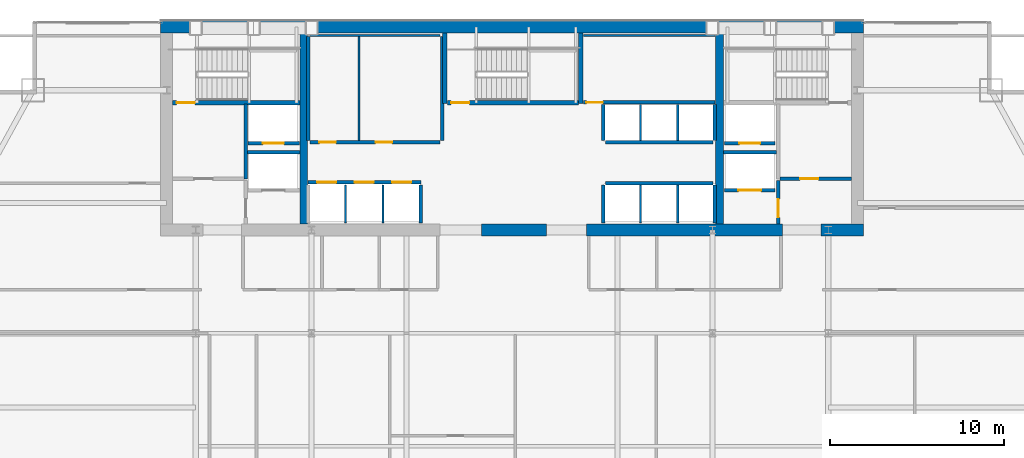
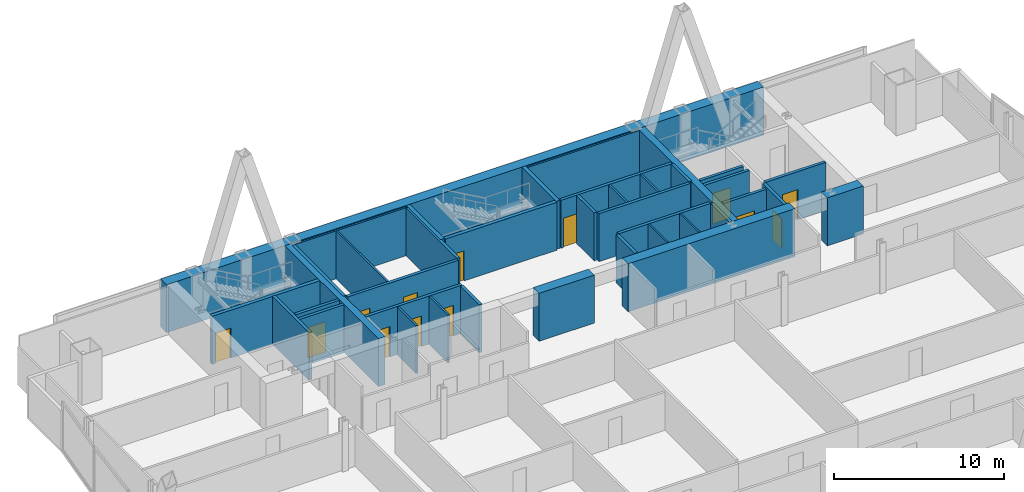
# One storey, part 27 of 30: 39 walls, 13 doors, 13 openings.
"""IFC4 building model written with IfcOpenShell, lengths in metres."""

from ifc_helpers import new_model, si_unit, direction, frame, frame_2d, origin, place, context, subcontext, project, spatial, rectangle, extrude, material, layer, layer_set, type_object, element, fill, save


model = new_model("IFC4")

# Units and contexts
model_context = context("Model", 3, precision=1e-05, world=origin(), true_north=direction((0.0, 1.0)))
body_context = subcontext(model_context, "Body", "Model", "MODEL_VIEW")
ifc_project = project(units=[si_unit("LENGTHUNIT", "METRE"), si_unit("AREAUNIT", "SQUARE_METRE"), si_unit("VOLUMEUNIT", "CUBIC_METRE"), si_unit("PLANEANGLEUNIT", "RADIAN"), si_unit("MASSUNIT", "GRAM", prefix="KILO")], contexts=[model_context])

# Site, building, storey
site_placement = place(None, origin())
site = spatial("IfcSite", under=ifc_project, at=site_placement, CompositionType="ELEMENT")
building_placement = place(site_placement, origin())
building = spatial("IfcBuilding", under=site, at=building_placement, Name="Khoronbel Lancet Exchange", CompositionType="ELEMENT")
storey_placement = place(building_placement, frame((0.0, 0.0, 147.0)))
storey = spatial("IfcBuildingStorey", under=building, at=storey_placement, Name="L36", CompositionType="ELEMENT", Elevation=147.0)

# Walls
ifc_material_1 = material(Name="Concrete C80/95", Category="concrete")
ifc_layer_1 = layer(ifc_material_1, 0.699951171875, Name="Concrete C80/95")
ifc_layer_set_1 = layer_set([ifc_layer_1], Name="Concrete C80/95")
wall_type_1 = type_object("IfcWallType", Name="WL-CW2", PredefinedType="SHEAR", material=ifc_layer_set_1)
wall_1_placement = place(storey_placement, frame((16.199951171875, 53.35009765625, 0.0), z_axis=(0.0, 0.0, 1.0), x_axis=(1.0, 0.0, 0.0)))
element("IfcWall", 1, at=wall_1_placement, inside=storey, type_object=wall_type_1, Name="Level L36 rear core north shear wall", PredefinedType="SHEAR", context=body_context, shape_type="SweptSolid", body=[
    extrude(rectangle(XDim=40.5, YDim=0.699951171875, at=frame_2d((20.25, 0.0))), origin(), (0.0, 0.0, 1.0), 3.43994140625),
])
wall_2_placement = place(storey_placement, frame((38.449951171875, 41.64990234375, 0.0), z_axis=(0.0, 0.0, 1.0), x_axis=(-1.0, 0.0, 0.0)))
element("IfcWall", 2, at=wall_2_placement, inside=storey, type_object=wall_type_1, Name="Level L36 rear core south shear wall pier P3", PredefinedType="SHEAR", context=body_context, shape_type="SweptSolid", body=[
    extrude(rectangle(XDim=3.75, YDim=0.699951171875, at=frame_2d((1.875, 0.0))), origin(), (0.0, 0.0, 1.0), 3.43994140625),
])
wall_3_placement = place(storey_placement, frame((52.050048828125, 41.64990234375, 0.0), z_axis=(0.0, 0.0, 1.0), x_axis=(-1.0, 0.0, 0.0)))
element("IfcWall", 3, at=wall_3_placement, inside=storey, type_object=wall_type_1, Name="Level L36 rear core south shear wall pier P4", PredefinedType="SHEAR", context=body_context, shape_type="SweptSolid", body=[
    extrude(rectangle(XDim=11.300048828125, YDim=0.699951171875, at=frame_2d((5.64990234375, 0.0))), origin(), (0.0, 0.0, 1.0), 3.43994140625),
])
wall_4_placement = place(storey_placement, frame((56.699951171875, 41.64990234375, 0.0), z_axis=(0.0, 0.0, 1.0), x_axis=(-1.0, 0.0, 0.0)))
element("IfcWall", 4, at=wall_4_placement, inside=storey, type_object=wall_type_1, Name="Level L36 rear core south shear wall pier P5", PredefinedType="SHEAR", context=body_context, shape_type="SweptSolid", body=[
    extrude(rectangle(XDim=2.449951171875, YDim=0.699951171875, at=frame_2d((1.22509765625, 0.0))), origin(), (0.0, 0.0, 1.0), 3.43994140625),
])
ifc_material_2 = material(Name="Fire-Rated Metal-Stud & Mineral-Wool Gypsum Partition 120 mm", Category="gypsum")
ifc_layer_2 = layer(ifc_material_2, 0.1201171875, Name="Fire-Rated Metal-Stud & Mineral-Wool Gypsum Partition 120 mm")
ifc_layer_set_2 = layer_set([ifc_layer_2], Name="Fire-Rated Metal-Stud & Mineral-Wool Gypsum Partition 120 mm")
wall_type_2 = type_object("IfcWallType", Name="WL-PRT120F", PredefinedType="PARTITIONING", material=ifc_layer_set_2)
wall_5_placement = place(storey_placement, frame((24.804931640625, 52.860107421875, 0.0), z_axis=(0.0, 0.0, 1.0), x_axis=(1.0, 0.0, 0.0)))
element("IfcWall", 5, at=wall_5_placement, inside=storey, type_object=wall_type_2, Name="Level L36 interior partition CW-PL-RN", PredefinedType="PARTITIONING", context=body_context, shape_type="SweptSolid", body=[
    extrude(rectangle(XDim=7.510009765625, YDim=0.1201171875, at=frame_2d((3.7548828125, 0.0))), origin(), (0.0, 0.0, 1.0), 3.43994140625),
])
wall_6_placement = place(storey_placement, frame((27.633544921875, 46.804931640625, 0.0), z_axis=(0.0, 0.0, 1.0), x_axis=(0.0, 1.0, 0.0)))
element("IfcWall", 6, at=wall_6_placement, inside=storey, type_object=wall_type_2, Name="Level L36 interior partition CW-PL-RS1", PredefinedType="PARTITIONING", context=body_context, shape_type="SweptSolid", body=[
    extrude(rectangle(XDim=5.989990234375, YDim=0.1201171875, at=frame_2d((2.9951171875, 0.0))), origin(), (0.0, 0.0, 1.0), 3.43994140625),
])
for number, where, z_axis, x_axis, name in (
    (7, (26.860107421875, 42.050048828125, 0.0), (0.0, 0.0, 1.0), (0.0, 1.0, 0.0), "Level L36 interior partition CW-PM-D1"),
    (8, (29.02001953125, 42.050048828125, 0.0), (0.0, 0.0, 1.0), (0.0, 1.0, 0.0), "Level L36 interior partition CW-PM-D2"),
):
    element("IfcWall", number, at=place(storey_placement, frame(where, z_axis=z_axis, x_axis=x_axis)), inside=storey, type_object=wall_type_2, Name=name, PredefinedType="PARTITIONING", context=body_context, shape_type="SweptSolid", body=[
        extrude(rectangle(XDim=2.199951171875, YDim=0.1201171875, at=frame_2d((1.10009765625, 0.0))), origin(), (0.0, 0.0, 1.0), 3.43994140625),
    ])
for number, where, z_axis, x_axis, name in (
    (9, (43.860107421875, 46.804931640625, 0.0), (0.0, 0.0, 1.0), (0.0, 1.0, 0.0), "Level L36 interior partition CW-PH-D1"),
    (10, (46.0, 46.804931640625, 0.0), (0.0, 0.0, 1.0), (0.0, 1.0, 0.0), "Level L36 interior partition CW-PH-D2"),
):
    element("IfcWall", number, at=place(storey_placement, frame(where, z_axis=z_axis, x_axis=x_axis)), inside=storey, type_object=wall_type_2, Name=name, PredefinedType="PARTITIONING", context=body_context, shape_type="SweptSolid", body=[
        extrude(rectangle(XDim=2.090087890625, YDim=0.1201171875, at=frame_2d((1.044921875, 0.0))), origin(), (0.0, 0.0, 1.0), 3.43994140625),
    ])
for number, where, z_axis, x_axis, name in (
    (11, (43.860107421875, 42.050048828125, 0.0), (0.0, 0.0, 1.0), (0.0, 1.0, 0.0), "Level L36 interior partition CW-PX-D1"),
    (12, (46.0, 42.050048828125, 0.0), (0.0, 0.0, 1.0), (0.0, 1.0, 0.0), "Level L36 interior partition CW-PX-D2"),
):
    element("IfcWall", number, at=place(storey_placement, frame(where, z_axis=z_axis, x_axis=x_axis)), inside=storey, type_object=wall_type_2, Name=name, PredefinedType="PARTITIONING", context=body_context, shape_type="SweptSolid", body=[
        extrude(rectangle(XDim=2.195068359375, YDim=0.1201171875, at=frame_2d((1.09765625, 0.0))), origin(), (0.0, 0.0, 1.0), 3.43994140625),
    ])
wall_7_placement = place(storey_placement, frame((40.580078125, 52.860107421875, 0.0), z_axis=(0.0, 0.0, 1.0), x_axis=(1.0, 0.0, 0.0)))
element("IfcWall", 13, at=wall_7_placement, inside=storey, type_object=wall_type_2, Name="Level L36 interior partition CW-SUP-NE-N", PredefinedType="PARTITIONING", context=body_context, shape_type="SweptSolid", body=[
    extrude(rectangle(XDim=7.559814453125, YDim=0.1201171875, at=frame_2d((3.77978515625, 0.0))), origin(), (0.0, 0.0, 1.0), 3.43994140625),
])

# Wall, openings, doors
ifc_material_3 = material(Name="Autoclaved Aerated Concrete Blockwork 200 mm", Category="masonry")
ifc_layer_3 = layer(ifc_material_3, 0.199951171875, Name="Autoclaved Aerated Concrete Blockwork 200 mm")
ifc_layer_set_3 = layer_set([ifc_layer_3], Name="Autoclaved Aerated Concrete Blockwork 200 mm")
wall_type_3 = type_object("IfcWallType", Name="WL-PRT200", PredefinedType="PARTITIONING", material=ifc_layer_set_3)
wall_8_placement = place(storey_placement, frame((24.68994140625, 44.39990234375, 0.0), z_axis=(0.0, 0.0, 1.0), x_axis=(1.0, 0.0, 0.0)))
wall_8 = element("IfcWall", 14, at=wall_8_placement, inside=storey, type_object=wall_type_3, Name="Level L36 elevator hoistway landing front wall PMW", PredefinedType="PARTITIONING", context=body_context, shape_type="SweptSolid", body=[
    extrude(rectangle(XDim=6.530029296875, YDim=0.199951171875, at=frame_2d((3.26513671875, 0.0))), origin(), (0.0, 0.0, 1.0), 3.43994140625),
])
opening_1_placement = place(wall_8_placement, frame((0.530029296875, 0.0, 0.0)))
opening_1 = element("IfcOpeningElement", 15, at=opening_1_placement, cuts=wall_8, Name="Opening LD-PM1", PredefinedType="OPENING", context=body_context, shape_type="SweptSolid", body=[
    extrude(rectangle(XDim=1.10009765625, YDim=2.179931640625, at=frame_2d((0.550048828125, 1.08984375))), frame((0.0, 0.10986328125, 0.0), z_axis=(0.0, -1.0, 0.0), x_axis=(1.0, 0.0, 0.0)), (0.0, 0.0, 1.0), 0.219970703125),
])
opening_2_placement = place(wall_8_placement, frame((2.68994140625, 0.0, 0.0)))
opening_2 = element("IfcOpeningElement", 16, at=opening_2_placement, cuts=wall_8, Name="Opening LD-PM2", PredefinedType="OPENING", context=body_context, shape_type="SweptSolid", body=[
    extrude(rectangle(XDim=1.10009765625, YDim=2.179931640625, at=frame_2d((0.550048828125, 1.08984375))), frame((0.0, 0.10986328125, 0.0), z_axis=(0.0, -1.0, 0.0), x_axis=(1.0, 0.0, 0.0)), (0.0, 0.0, 1.0), 0.219970703125),
])
opening_3_placement = place(wall_8_placement, frame((4.85009765625, 0.0, 0.0)))
opening_3 = element("IfcOpeningElement", 17, at=opening_3_placement, cuts=wall_8, Name="Opening LD-PM3", PredefinedType="OPENING", context=body_context, shape_type="SweptSolid", body=[
    extrude(rectangle(XDim=1.10009765625, YDim=2.179931640625, at=frame_2d((0.550048828125, 1.08984375))), frame((0.0, 0.10986328125, 0.0), z_axis=(0.0, -1.0, 0.0), x_axis=(1.0, 0.0, 0.0)), (0.0, 0.0, 1.0), 0.219970703125),
])
ifc_material_4 = material(Name="Brushed Bronze Bi-Parting Elevator Landing Door", Category="steel")
door_type_1 = type_object("IfcDoorType", Name="DR-LD-PAX", OperationType="NOTDEFINED", PredefinedType="DOOR", material=ifc_material_4)
door_1_placement = place(opening_1_placement, origin())
door_1 = element("IfcDoor", 18, at=door_1_placement, inside=storey, type_object=door_type_1, Name="Elevator landing sliding door LD-PM1 L36", OperationType="SLIDING_TO_LEFT", OverallHeight=2.179931640625, OverallWidth=1.10009765625, PredefinedType="DOOR", context=body_context, shape_type="SweptSolid", body=[
    extrude(rectangle(XDim=1.10009765625, YDim=2.179931640625, at=frame_2d((0.550048828125, 1.08984375))), frame((0.0, 0.02490234375, 0.0), z_axis=(0.0, -1.0, 0.0), x_axis=(1.0, 0.0, 0.0)), (0.0, 0.0, 1.0), 0.050048828125),
])
fill(opening_1, door_1)
door_2_placement = place(opening_2_placement, origin())
door_2 = element("IfcDoor", 19, at=door_2_placement, inside=storey, type_object=door_type_1, Name="Elevator landing sliding door LD-PM2 L36", OperationType="SLIDING_TO_LEFT", OverallHeight=2.179931640625, OverallWidth=1.10009765625, PredefinedType="DOOR", context=body_context, shape_type="SweptSolid", body=[
    extrude(rectangle(XDim=1.10009765625, YDim=2.179931640625, at=frame_2d((0.550048828125, 1.08984375))), frame((0.0, 0.02490234375, 0.0), z_axis=(0.0, -1.0, 0.0), x_axis=(1.0, 0.0, 0.0)), (0.0, 0.0, 1.0), 0.050048828125),
])
fill(opening_2, door_2)
door_3_placement = place(opening_3_placement, origin())
door_3 = element("IfcDoor", 20, at=door_3_placement, inside=storey, type_object=door_type_1, Name="Elevator landing sliding door LD-PM3 L36", OperationType="SLIDING_TO_LEFT", OverallHeight=2.179931640625, OverallWidth=1.10009765625, PredefinedType="DOOR", context=body_context, shape_type="SweptSolid", body=[
    extrude(rectangle(XDim=1.10009765625, YDim=2.179931640625, at=frame_2d((0.550048828125, 1.08984375))), frame((0.0, 0.02490234375, 0.0), z_axis=(0.0, -1.0, 0.0), x_axis=(1.0, 0.0, 0.0)), (0.0, 0.0, 1.0), 0.050048828125),
])
fill(opening_3, door_3)

# Wall, opening, door
wall_9_placement = place(storey_placement, frame((51.610107421875, 43.949951171875, 0.0), z_axis=(0.0, 0.0, 1.0), x_axis=(-1.0, 0.0, 0.0)))
wall_9 = element("IfcWall", 21, at=wall_9_placement, inside=storey, type_object=wall_type_3, Name="Level L36 elevator hoistway landing front wall SVLE", PredefinedType="PARTITIONING", context=body_context, shape_type="SweptSolid", body=[
    extrude(rectangle(XDim=2.920166015625, YDim=0.199951171875, at=frame_2d((1.4599609375, 0.0))), origin(), (0.0, 0.0, 1.0), 3.43994140625),
])
opening_4_placement = place(wall_9_placement, frame((0.81005859375, 0.0, 0.0)))
opening_4 = element("IfcOpeningElement", 22, at=opening_4_placement, cuts=wall_9, Name="Opening LD-SVL2", PredefinedType="OPENING", context=body_context, shape_type="SweptSolid", body=[
    extrude(rectangle(XDim=1.300048828125, YDim=2.179931640625, at=frame_2d((0.64990234375, 1.08984375))), frame((0.0, 0.10986328125, 0.0), z_axis=(0.0, -1.0, 0.0), x_axis=(1.0, 0.0, 0.0)), (0.0, 0.0, 1.0), 0.219970703125),
])
ifc_material_5 = material(Name="Heavy-Duty Bi-Parting Goods Lift Landing Door", Category="steel")
door_type_2 = type_object("IfcDoorType", Name="DR-LD-SVL", OperationType="NOTDEFINED", PredefinedType="DOOR", material=ifc_material_5)
door_4_placement = place(opening_4_placement, origin())
door_4 = element("IfcDoor", 23, at=door_4_placement, inside=storey, type_object=door_type_2, Name="Elevator landing sliding door LD-SVL2 L36", OperationType="SLIDING_TO_LEFT", OverallHeight=2.179931640625, OverallWidth=1.300048828125, PredefinedType="DOOR", context=body_context, shape_type="SweptSolid", body=[
    extrude(rectangle(XDim=1.300048828125, YDim=2.179931640625, at=frame_2d((0.64990234375, 1.08984375))), frame((0.0, 0.02490234375, 0.0), z_axis=(0.0, -1.0, 0.0), x_axis=(1.0, 0.0, 0.0)), (0.0, 0.0, 1.0), 0.050048828125),
])
fill(opening_4, door_4)

wall_10_placement = place(storey_placement, frame((51.610107421875, 46.64990234375, 0.0), z_axis=(0.0, 0.0, 1.0), x_axis=(-1.0, 0.0, 0.0)))
wall_10 = element("IfcWall", 24, at=wall_10_placement, inside=storey, type_object=wall_type_3, Name="Level L36 elevator hoistway landing front wall FFLE", PredefinedType="PARTITIONING", context=body_context, shape_type="SweptSolid", body=[
    extrude(rectangle(XDim=2.920166015625, YDim=0.199951171875, at=frame_2d((1.4599609375, 0.0))), origin(), (0.0, 0.0, 1.0), 3.43994140625),
])
opening_5_placement = place(wall_10_placement, frame((0.860107421875, 0.0, 0.0)))
opening_5 = element("IfcOpeningElement", 25, at=opening_5_placement, cuts=wall_10, Name="Opening LD-FFL2", PredefinedType="OPENING", context=body_context, shape_type="SweptSolid", body=[
    extrude(rectangle(XDim=1.199951171875, YDim=2.179931640625, at=frame_2d((0.60009765625, 1.08984375))), frame((0.0, 0.10986328125, 0.0), z_axis=(0.0, -1.0, 0.0), x_axis=(1.0, 0.0, 0.0)), (0.0, 0.0, 1.0), 0.219970703125),
])
ifc_material_6 = material(Name="Fire-Rated Stainless Bi-Parting Firefighting Lift Door", Category="steel")
door_type_3 = type_object("IfcDoorType", Name="DR-LD-FFL", OperationType="NOTDEFINED", PredefinedType="DOOR", material=ifc_material_6)
door_5_placement = place(opening_5_placement, origin())
door_5 = element("IfcDoor", 26, at=door_5_placement, inside=storey, type_object=door_type_3, Name="Elevator landing sliding door LD-FFL2 L36", OperationType="SLIDING_TO_LEFT", OverallHeight=2.179931640625, OverallWidth=1.199951171875, PredefinedType="DOOR", context=body_context, shape_type="SweptSolid", body=[
    extrude(rectangle(XDim=1.199951171875, YDim=2.179931640625, at=frame_2d((0.60009765625, 1.08984375))), frame((0.0, 0.02490234375, 0.0), z_axis=(0.0, -1.0, 0.0), x_axis=(1.0, 0.0, 0.0)), (0.0, 0.0, 1.0), 0.050048828125),
])
fill(opening_5, door_5)

wall_11_placement = place(storey_placement, frame((24.2099609375, 46.64990234375, 0.0), z_axis=(0.0, 0.0, 1.0), x_axis=(-1.0, 0.0, 0.0)))
wall_11 = element("IfcWall", 27, at=wall_11_placement, inside=storey, type_object=wall_type_3, Name="Level L36 elevator hoistway landing front wall FFLW", PredefinedType="PARTITIONING", context=body_context, shape_type="SweptSolid", body=[
    extrude(rectangle(XDim=2.969970703125, YDim=0.199951171875, at=frame_2d((1.48486328125, 0.0))), origin(), (0.0, 0.0, 1.0), 3.43994140625),
])
opening_6_placement = place(wall_11_placement, frame((0.909912109375, 0.0, 0.0)))
opening_6 = element("IfcOpeningElement", 28, at=opening_6_placement, cuts=wall_11, Name="Opening LD-FFL1", PredefinedType="OPENING", context=body_context, shape_type="SweptSolid", body=[
    extrude(rectangle(XDim=1.199951171875, YDim=2.179931640625, at=frame_2d((0.60009765625, 1.08984375))), frame((0.0, 0.10986328125, 0.0), z_axis=(0.0, -1.0, 0.0), x_axis=(1.0, 0.0, 0.0)), (0.0, 0.0, 1.0), 0.219970703125),
])
door_6_placement = place(opening_6_placement, origin())
door_6 = element("IfcDoor", 29, at=door_6_placement, inside=storey, type_object=door_type_3, Name="Elevator landing sliding door LD-FFL1 L36", OperationType="SLIDING_TO_LEFT", OverallHeight=2.179931640625, OverallWidth=1.199951171875, PredefinedType="DOOR", context=body_context, shape_type="SweptSolid", body=[
    extrude(rectangle(XDim=1.199951171875, YDim=2.179931640625, at=frame_2d((0.60009765625, 1.08984375))), frame((0.0, 0.02490234375, 0.0), z_axis=(0.0, -1.0, 0.0), x_axis=(1.0, 0.0, 0.0)), (0.0, 0.0, 1.0), 0.050048828125),
])
fill(opening_6, door_6)

# Walls
wall_12_placement = place(storey_placement, frame((21.10009765625, 44.60009765625, 0.0), z_axis=(0.0, 0.0, 1.0), x_axis=(0.0, 1.0, 0.0)))
element("IfcWall", 30, at=wall_12_placement, inside=storey, type_object=wall_type_3, Name="Level L36 interior partition CW-FFLW-E", PredefinedType="PARTITIONING", context=body_context, shape_type="SweptSolid", body=[
    extrude(rectangle(XDim=4.2998046875, YDim=0.199951171875, at=frame_2d((2.14990234375, 0.0))), origin(), (0.0, 0.0, 1.0), 3.43994140625),
])
wall_13_placement = place(storey_placement, frame((21.199951171875, 46.1201171875, 0.0), z_axis=(0.0, 0.0, 1.0), x_axis=(1.0, 0.0, 0.0)))
element("IfcWall", 31, at=wall_13_placement, inside=storey, type_object=wall_type_3, Name="Level L36 interior partition CW-FFL1-S", PredefinedType="PARTITIONING", context=body_context, shape_type="SweptSolid", body=[
    extrude(rectangle(XDim=3.02001953125, YDim=0.199951171875, at=frame_2d((1.510009765625, 0.0))), origin(), (0.0, 0.0, 1.0), 3.43994140625),
])

# Wall, opening, door
wall_14_placement = place(storey_placement, frame((51.89990234375, 44.60009765625, 0.0), z_axis=(0.0, 0.0, 1.0), x_axis=(1.0, 0.0, 0.0)))
wall_14 = element("IfcWall", 32, at=wall_14_placement, inside=storey, type_object=wall_type_3, Name="Level L36 interior partition CW-FFLE-S", PredefinedType="PARTITIONING", context=body_context, shape_type="SweptSolid", body=[
    extrude(rectangle(XDim=4.10009765625, YDim=0.199951171875, at=frame_2d((2.050048828125, 0.0))), origin(), (0.0, 0.0, 1.0), 3.43994140625),
])
opening_7_placement = place(wall_14_placement, frame((1.14990234375, 0.0, 0.0)))
opening_7 = element("IfcOpeningElement", 33, at=opening_7_placement, cuts=wall_14, Name="Opening FD1", PredefinedType="OPENING", context=body_context, shape_type="SweptSolid", body=[
    extrude(rectangle(XDim=1.050048828125, YDim=2.14990234375, at=frame_2d((0.52490234375, 1.074951171875))), frame((0.0, 0.10986328125, 0.0), z_axis=(0.0, -1.0, 0.0), x_axis=(1.0, 0.0, 0.0)), (0.0, 0.0, 1.0), 0.219970703125),
])
ifc_material_7 = material(Name="Fire-Rated Painted Steel Door Assembly", Category="steel")
door_type_4 = type_object("IfcDoorType", Name="DR-FD1", OperationType="NOTDEFINED", PredefinedType="DOOR", material=ifc_material_7)
door_7_placement = place(opening_7_placement, origin())
door_7 = element("IfcDoor", 34, at=door_7_placement, inside=storey, type_object=door_type_4, Name="East firefighting lobby FD90S door L36-1", OperationType="SINGLE_SWING_RIGHT", OverallHeight=2.14990234375, OverallWidth=1.050048828125, PredefinedType="DOOR", context=body_context, shape_type="SweptSolid", body=[
    extrude(rectangle(XDim=1.050048828125, YDim=2.14990234375, at=frame_2d((0.52490234375, 1.074951171875))), frame((0.0, 0.02490234375, 0.0), z_axis=(0.0, -1.0, 0.0), x_axis=(1.0, 0.0, 0.0)), (0.0, 0.0, 1.0), 0.050048828125),
])
fill(opening_7, door_7)

# Wall
wall_15_placement = place(storey_placement, frame((48.6298828125, 46.1201171875, 0.0), z_axis=(0.0, 0.0, 1.0), x_axis=(1.0, 0.0, 0.0)))
element("IfcWall", 35, at=wall_15_placement, inside=storey, type_object=wall_type_3, Name="Level L36 interior partition CW-FFL2-S", PredefinedType="PARTITIONING", context=body_context, shape_type="SweptSolid", body=[
    extrude(rectangle(XDim=3.070068359375, YDim=0.199951171875, at=frame_2d((1.53515625, 0.0))), origin(), (0.0, 0.0, 1.0), 3.43994140625),
])

# Wall, opening, door
wall_16_placement = place(storey_placement, frame((51.800048828125, 42.0, 0.0), z_axis=(0.0, 0.0, 1.0), x_axis=(0.0, 1.0, 0.0)))
wall_16 = element("IfcWall", 36, at=wall_16_placement, inside=storey, type_object=wall_type_3, Name="Level L36 interior partition CW-SVLE-E", PredefinedType="PARTITIONING", context=body_context, shape_type="SweptSolid", body=[
    extrude(rectangle(XDim=2.4951171875, YDim=0.199951171875, at=frame_2d((1.24755859375, 0.0))), origin(), (0.0, 0.0, 1.0), 3.43994140625),
])
opening_8_placement = place(wall_16_placement, frame((0.3798828125, 0.0, 0.0)))
opening_8 = element("IfcOpeningElement", 37, at=opening_8_placement, cuts=wall_16, Name="Opening FD1", PredefinedType="OPENING", context=body_context, shape_type="SweptSolid", body=[
    extrude(rectangle(XDim=1.050048828125, YDim=2.14990234375, at=frame_2d((0.52490234375, 1.074951171875))), frame((0.0, 0.10986328125, 0.0), z_axis=(0.0, -1.0, 0.0), x_axis=(1.0, 0.0, 0.0)), (0.0, 0.0, 1.0), 0.219970703125),
])
door_8_placement = place(opening_8_placement, origin())
door_8 = element("IfcDoor", 38, at=door_8_placement, inside=storey, type_object=door_type_4, Name="East service lift lobby door L36-1", OperationType="SINGLE_SWING_LEFT", OverallHeight=2.14990234375, OverallWidth=1.050048828125, PredefinedType="DOOR", context=body_context, shape_type="SweptSolid", body=[
    extrude(rectangle(XDim=1.050048828125, YDim=2.14990234375, at=frame_2d((0.52490234375, 1.074951171875))), frame((0.0, 0.02490234375, 0.0), z_axis=(0.0, -1.0, 0.0), x_axis=(1.0, 0.0, 0.0)), (0.0, 0.0, 1.0), 0.050048828125),
])
fill(opening_8, door_8)

# Walls
for number, where, z_axis, x_axis, name in (
    (39, (24.699951171875, 46.804931640625, 0.0), (0.0, 0.0, 1.0), (0.0, 1.0, 0.0), "Level L36 interior partition CW-PL-RW"),
    (40, (32.419921875, 46.804931640625, 0.0), (0.0, 0.0, 1.0), (0.0, 1.0, 0.0), "Level L36 interior partition CW-PL-RE"),
):
    element("IfcWall", number, at=place(storey_placement, frame(where, z_axis=z_axis, x_axis=x_axis)), inside=storey, type_object=wall_type_3, Name=name, PredefinedType="PARTITIONING", context=body_context, shape_type="SweptSolid", body=[
        extrude(rectangle(XDim=5.989990234375, YDim=0.199951171875, at=frame_2d((2.9951171875, 0.0))), origin(), (0.0, 0.0, 1.0), 3.43994140625),
    ])

# Wall, openings, doors
wall_17_placement = place(storey_placement, frame((24.804931640625, 46.699951171875, 0.0), z_axis=(0.0, 0.0, 1.0), x_axis=(1.0, 0.0, 0.0)))
wall_17 = element("IfcWall", 41, at=wall_17_placement, inside=storey, type_object=wall_type_3, Name="Level L36 interior partition CW-PL-RF", PredefinedType="PARTITIONING", context=body_context, shape_type="SweptSolid", body=[
    extrude(rectangle(XDim=7.510009765625, YDim=0.199951171875, at=frame_2d((3.7548828125, 0.0))), origin(), (0.0, 0.0, 1.0), 3.43994140625),
])
opening_9_placement = place(wall_17_placement, frame((0.550048828125, 0.0, 0.0)))
opening_9 = element("IfcOpeningElement", 42, at=opening_9_placement, cuts=wall_17, Name="Opening FD3", PredefinedType="OPENING", context=body_context, shape_type="SweptSolid", body=[
    extrude(rectangle(XDim=0.949951171875, YDim=2.10009765625, at=frame_2d((0.47509765625, 1.050048828125))), frame((0.0, 0.10986328125, 0.0), z_axis=(0.0, -1.0, 0.0), x_axis=(1.0, 0.0, 0.0)), (0.0, 0.0, 1.0), 0.219970703125),
])
opening_10_placement = place(wall_17_placement, frame((3.78369140625, 0.0, 0.0)))
opening_10 = element("IfcOpeningElement", 43, at=opening_10_placement, cuts=wall_17, Name="Opening FD3", PredefinedType="OPENING", context=body_context, shape_type="SweptSolid", body=[
    extrude(rectangle(XDim=0.949951171875, YDim=2.10009765625, at=frame_2d((0.47509765625, 1.050048828125))), frame((0.0, 0.10986328125, 0.0), z_axis=(0.0, -1.0, 0.0), x_axis=(1.0, 0.0, 0.0)), (0.0, 0.0, 1.0), 0.219970703125),
])
ifc_material_8 = material(Name="Fire-Rated Steel Plant & Riser Door Assembly", Category="steel")
door_type_5 = type_object("IfcDoorType", Name="DR-FD3", OperationType="NOTDEFINED", PredefinedType="DOOR", material=ifc_material_8)
door_9_placement = place(opening_9_placement, origin())
door_9 = element("IfcDoor", 44, at=door_9_placement, inside=storey, type_object=door_type_5, Name="Reclaimed PL A door L36-1", OperationType="SINGLE_SWING_RIGHT", OverallHeight=2.10009765625, OverallWidth=0.949951171875, PredefinedType="DOOR", context=body_context, shape_type="SweptSolid", body=[
    extrude(rectangle(XDim=0.949951171875, YDim=2.10009765625, at=frame_2d((0.47509765625, 1.050048828125))), frame((0.0, 0.02490234375, 0.0), z_axis=(0.0, -1.0, 0.0), x_axis=(1.0, 0.0, 0.0)), (0.0, 0.0, 1.0), 0.050048828125),
])
fill(opening_9, door_9)
door_10_placement = place(opening_10_placement, origin())
door_10 = element("IfcDoor", 45, at=door_10_placement, inside=storey, type_object=door_type_5, Name="Reclaimed PL B door L36-2", OperationType="SINGLE_SWING_LEFT", OverallHeight=2.10009765625, OverallWidth=0.949951171875, PredefinedType="DOOR", context=body_context, shape_type="SweptSolid", body=[
    extrude(rectangle(XDim=0.949951171875, YDim=2.10009765625, at=frame_2d((0.47509765625, 1.050048828125))), frame((0.0, 0.02490234375, 0.0), z_axis=(0.0, -1.0, 0.0), x_axis=(1.0, 0.0, 0.0)), (0.0, 0.0, 1.0), 0.050048828125),
])
fill(opening_10, door_10)

# Walls
wall_18_placement = place(storey_placement, frame((31.179931640625, 42.050048828125, 0.0), z_axis=(0.0, 0.0, 1.0), x_axis=(0.0, 1.0, 0.0)))
element("IfcWall", 46, at=wall_18_placement, inside=storey, type_object=wall_type_3, Name="Level L36 interior partition CW-PM-E", PredefinedType="PARTITIONING", context=body_context, shape_type="SweptSolid", body=[
    extrude(rectangle(XDim=2.199951171875, YDim=0.199951171875, at=frame_2d((1.10009765625, 0.0))), origin(), (0.0, 0.0, 1.0), 3.43994140625),
])
wall_19_placement = place(storey_placement, frame((41.824951171875, 46.699951171875, 0.0), z_axis=(0.0, 0.0, 1.0), x_axis=(1.0, 0.0, 0.0)))
element("IfcWall", 47, at=wall_19_placement, inside=storey, type_object=wall_type_3, Name="Level L36 interior partition CW-PH-EXP", PredefinedType="PARTITIONING", context=body_context, shape_type="SweptSolid", body=[
    extrude(rectangle(XDim=6.2099609375, YDim=0.199951171875, at=frame_2d((3.10498046875, 0.0))), origin(), (0.0, 0.0, 1.0), 3.43994140625),
])
for number, where, z_axis, x_axis, name in (
    (48, (41.719970703125, 46.804931640625, 0.0), (0.0, 0.0, 1.0), (0.0, 1.0, 0.0), "Level L36 interior partition CW-PH-W"),
    (49, (48.139892578125, 46.804931640625, 0.0), (0.0, 0.0, 1.0), (0.0, 1.0, 0.0), "Level L36 interior partition CW-PH-E"),
):
    element("IfcWall", number, at=place(storey_placement, frame(where, z_axis=z_axis, x_axis=x_axis)), inside=storey, type_object=wall_type_3, Name=name, PredefinedType="PARTITIONING", context=body_context, shape_type="SweptSolid", body=[
        extrude(rectangle(XDim=2.090087890625, YDim=0.199951171875, at=frame_2d((1.044921875, 0.0))), origin(), (0.0, 0.0, 1.0), 3.43994140625),
    ])
wall_20_placement = place(storey_placement, frame((41.824951171875, 44.35009765625, 0.0), z_axis=(0.0, 0.0, 1.0), x_axis=(1.0, 0.0, 0.0)))
element("IfcWall", 50, at=wall_20_placement, inside=storey, type_object=wall_type_3, Name="Level L36 interior partition CW-PX-EXP", PredefinedType="PARTITIONING", context=body_context, shape_type="SweptSolid", body=[
    extrude(rectangle(XDim=6.2099609375, YDim=0.199951171875, at=frame_2d((3.10498046875, 0.0))), origin(), (0.0, 0.0, 1.0), 3.43994140625),
])
for number, where, z_axis, x_axis, name in (
    (51, (41.719970703125, 42.050048828125, 0.0), (0.0, 0.0, 1.0), (0.0, 1.0, 0.0), "Level L36 interior partition CW-PX-W"),
    (52, (48.139892578125, 42.050048828125, 0.0), (0.0, 0.0, 1.0), (0.0, 1.0, 0.0), "Level L36 interior partition CW-PX-E"),
):
    element("IfcWall", number, at=place(storey_placement, frame(where, z_axis=z_axis, x_axis=x_axis)), inside=storey, type_object=wall_type_3, Name=name, PredefinedType="PARTITIONING", context=body_context, shape_type="SweptSolid", body=[
        extrude(rectangle(XDim=2.195068359375, YDim=0.199951171875, at=frame_2d((1.09765625, 0.0))), origin(), (0.0, 0.0, 1.0), 3.43994140625),
    ])

# Wall, opening, door
wall_21_placement = place(storey_placement, frame((40.580078125, 49.0, 0.0), z_axis=(0.0, 0.0, 1.0), x_axis=(1.0, 0.0, 0.0)))
wall_21 = element("IfcWall", 53, at=wall_21_placement, inside=storey, type_object=wall_type_3, Name="Level L36 interior partition CW-SUP-NE-S", PredefinedType="PARTITIONING", context=body_context, shape_type="SweptSolid", body=[
    extrude(rectangle(XDim=7.559814453125, YDim=0.199951171875, at=frame_2d((3.77978515625, 0.0))), origin(), (0.0, 0.0, 1.0), 3.43994140625),
])
opening_11_placement = place(wall_21_placement, frame((0.159912109375, 0.0, 0.0)))
opening_11 = element("IfcOpeningElement", 54, at=opening_11_placement, cuts=wall_21, Name="Opening FD3", PredefinedType="OPENING", context=body_context, shape_type="SweptSolid", body=[
    extrude(rectangle(XDim=0.949951171875, YDim=2.10009765625, at=frame_2d((0.47509765625, 1.050048828125))), frame((0.0, 0.10986328125, 0.0), z_axis=(0.0, -1.0, 0.0), x_axis=(1.0, 0.0, 0.0)), (0.0, 0.0, 1.0), 0.219970703125),
])
door_11_placement = place(opening_11_placement, origin())
door_11 = element("IfcDoor", 55, at=door_11_placement, inside=storey, type_object=door_type_5, Name="Core NE support room door L36-1", OperationType="SINGLE_SWING_RIGHT", OverallHeight=2.10009765625, OverallWidth=0.949951171875, PredefinedType="DOOR", context=body_context, shape_type="SweptSolid", body=[
    extrude(rectangle(XDim=0.949951171875, YDim=2.10009765625, at=frame_2d((0.47509765625, 1.050048828125))), frame((0.0, 0.02490234375, 0.0), z_axis=(0.0, -1.0, 0.0), x_axis=(1.0, 0.0, 0.0)), (0.0, 0.0, 1.0), 0.050048828125),
])
fill(opening_11, door_11)

# Walls
ifc_layer_4 = layer(ifc_material_1, 0.449951171875, Name="Concrete C80/95")
ifc_layer_set_4 = layer_set([ifc_layer_4], Name="Concrete C80/95")
wall_type_4 = type_object("IfcWallType", Name="WL-SW1", PredefinedType="SHEAR", material=ifc_layer_set_4)
for number, where, z_axis, x_axis, name in (
    (56, (24.449951171875, 42.0, 0.0), (0.0, 0.0, 1.0), (0.0, 1.0, 0.0), "Level L36 rear core internal spine shear wall IW"),
    (57, (48.39990234375, 42.0, 0.0), (0.0, 0.0, 1.0), (0.0, 1.0, 0.0), "Level L36 rear core internal spine shear wall IE"),
):
    element("IfcWall", number, at=place(storey_placement, frame(where, z_axis=z_axis, x_axis=x_axis)), inside=storey, type_object=wall_type_4, Name=name, PredefinedType="SHEAR", context=body_context, shape_type="SweptSolid", body=[
        extrude(rectangle(XDim=11.0, YDim=0.449951171875, at=frame_2d((5.5, 0.0))), origin(), (0.0, 0.0, 1.0), 3.43994140625),
    ])
ifc_material_9 = material(Name="Concrete C60/75", Category="concrete")
ifc_layer_5 = layer(ifc_material_9, 0.260009765625, Name="Concrete C60/75")
ifc_layer_set_5 = layer_set([ifc_layer_5], Name="Concrete C60/75")
wall_type_5 = type_object("IfcWallType", Name="WL-SW3", PredefinedType="SHEAR", material=ifc_layer_set_5)
for number, where, z_axis, x_axis, name in (
    (58, (32.580078125, 48.949951171875, 0.0), (0.0, 0.0, 1.0), (0.0, 1.0, 0.0), "Level L36 central stairwell structural shear wall ST3W"),
    (59, (40.419921875, 48.949951171875, 0.0), (0.0, 0.0, 1.0), (0.0, 1.0, 0.0), "Level L36 central stairwell structural shear wall ST3E"),
):
    element("IfcWall", number, at=place(storey_placement, frame(where, z_axis=z_axis, x_axis=x_axis)), inside=storey, type_object=wall_type_5, Name=name, PredefinedType="SHEAR", context=body_context, shape_type="SweptSolid", body=[
        extrude(rectangle(XDim=4.050048828125, YDim=0.260009765625, at=frame_2d((2.02490234375, 0.0))), origin(), (0.0, 0.0, 1.0), 3.43994140625),
    ])

# Wall, opening, door
wall_22_placement = place(storey_placement, frame((16.89990234375, 48.97998046875, 0.0), z_axis=(0.0, 0.0, 1.0), x_axis=(1.0, 0.0, 0.0)))
wall_22 = element("IfcWall", 60, at=wall_22_placement, inside=storey, type_object=wall_type_5, Name="Level L36 west stairwell structural south wall", PredefinedType="SHEAR", context=body_context, shape_type="SweptSolid", body=[
    extrude(rectangle(XDim=7.320068359375, YDim=0.239990234375, at=frame_2d((3.66015625, 0.0))), origin(), (0.0, 0.0, 1.0), 3.43994140625),
])
opening_12_placement = place(wall_22_placement, frame((0.219970703125, 0.0, 0.0)))
opening_12 = element("IfcOpeningElement", 61, at=opening_12_placement, cuts=wall_22, Name="Opening SD1", PredefinedType="OPENING", context=body_context, shape_type="SweptSolid", body=[
    extrude(rectangle(XDim=1.050048828125, YDim=2.14990234375, at=frame_2d((0.52490234375, 1.074951171875))), frame((0.0, 0.1298828125, 0.0), z_axis=(0.0, -1.0, 0.0), x_axis=(1.0, 0.0, 0.0)), (0.0, 0.0, 1.0), 0.260009765625),
])
ifc_material_10 = material(Name="Fire-Rated Steel Stairwell Door Assembly", Category="steel")
door_type_6 = type_object("IfcDoorType", Name="DR-SD1", OperationType="NOTDEFINED", PredefinedType="DOOR", material=ifc_material_10)
door_12_placement = place(opening_12_placement, origin())
door_12 = element("IfcDoor", 62, at=door_12_placement, inside=storey, type_object=door_type_6, Name="Protected exit stair ST1 door L36", OperationType="SINGLE_SWING_LEFT", OverallHeight=2.14990234375, OverallWidth=1.050048828125, PredefinedType="DOOR", context=body_context, shape_type="SweptSolid", body=[
    extrude(rectangle(XDim=1.050048828125, YDim=2.14990234375, at=frame_2d((0.52490234375, 1.074951171875))), frame((0.0, 0.02490234375, 0.0), z_axis=(0.0, -1.0, 0.0), x_axis=(1.0, 0.0, 0.0)), (0.0, 0.0, 1.0), 0.050048828125),
])
fill(opening_12, door_12)

wall_23_placement = place(storey_placement, frame((32.719970703125, 48.97998046875, 0.0), z_axis=(0.0, 0.0, 1.0), x_axis=(1.0, 0.0, 0.0)))
wall_23 = element("IfcWall", 63, at=wall_23_placement, inside=storey, type_object=wall_type_5, Name="Level L36 central stairwell structural south wall", PredefinedType="SHEAR", context=body_context, shape_type="SweptSolid", body=[
    extrude(rectangle(XDim=7.56005859375, YDim=0.239990234375, at=frame_2d((3.780029296875, 0.0))), origin(), (0.0, 0.0, 1.0), 3.43994140625),
])
opening_13_placement = place(wall_23_placement, frame((0.219970703125, 0.0, 0.0)))
opening_13 = element("IfcOpeningElement", 64, at=opening_13_placement, cuts=wall_23, Name="Opening SD1", PredefinedType="OPENING", context=body_context, shape_type="SweptSolid", body=[
    extrude(rectangle(XDim=1.050048828125, YDim=2.14990234375, at=frame_2d((0.52490234375, 1.074951171875))), frame((0.0, 0.1298828125, 0.0), z_axis=(0.0, -1.0, 0.0), x_axis=(1.0, 0.0, 0.0)), (0.0, 0.0, 1.0), 0.260009765625),
])
door_13_placement = place(opening_13_placement, origin())
door_13 = element("IfcDoor", 65, at=door_13_placement, inside=storey, type_object=door_type_6, Name="Protected exit stair ST3 door L36", OperationType="SINGLE_SWING_LEFT", OverallHeight=2.14990234375, OverallWidth=1.050048828125, PredefinedType="DOOR", context=body_context, shape_type="SweptSolid", body=[
    extrude(rectangle(XDim=1.050048828125, YDim=2.14990234375, at=frame_2d((0.52490234375, 1.074951171875))), frame((0.0, 0.02490234375, 0.0), z_axis=(0.0, -1.0, 0.0), x_axis=(1.0, 0.0, 0.0)), (0.0, 0.0, 1.0), 0.050048828125),
])
fill(opening_13, door_13)

save(model, "model.ifc")
